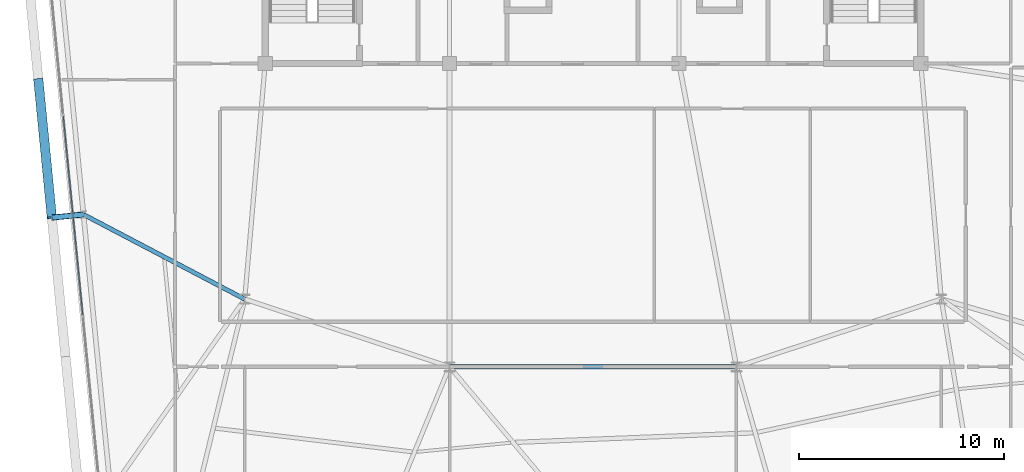
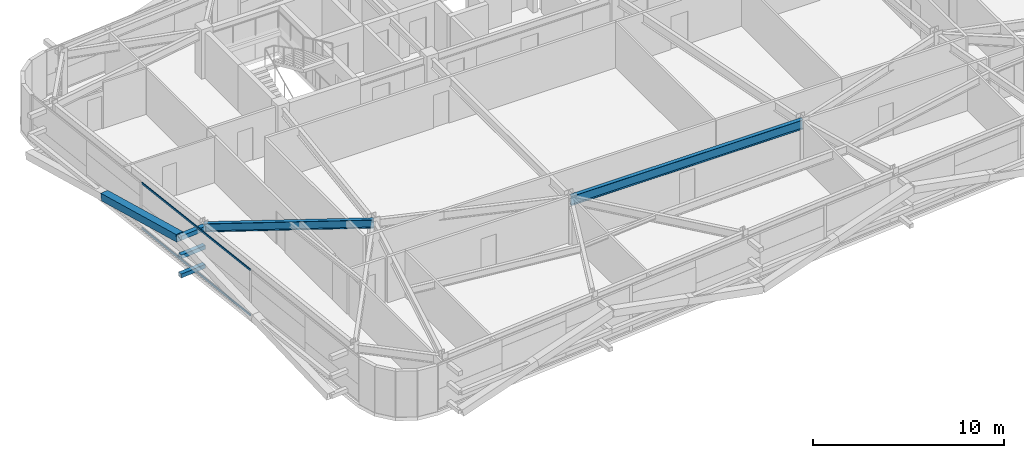
# One storey, part 12 of 47: 6 members, 2 beams, 1 element without a shape of its own.
"""IFC4 building model written with IfcOpenShell, lengths in metres."""

from ifc_helpers import new_model, si_unit, direction, frame, origin, origin_2d, place, context, subcontext, project, spatial, hollow_rectangle, i_section, extrude, source, transform, mapped, material, layer, layer_set, material_profile, profile_set, type_object, element, aggregate, save


model = new_model("IFC4")

# Units and contexts
model_context = context("Model", 3, precision=1e-05, world=origin(), true_north=direction((0.0, 1.0)))
body_context = subcontext(model_context, "Body", "Model", "MODEL_VIEW")
ifc_project = project(units=[si_unit("LENGTHUNIT", "METRE"), si_unit("AREAUNIT", "SQUARE_METRE"), si_unit("VOLUMEUNIT", "CUBIC_METRE"), si_unit("PLANEANGLEUNIT", "RADIAN"), si_unit("MASSUNIT", "GRAM", prefix="KILO")], contexts=[model_context])

# Site, building, storey
site_placement = place(None, origin())
site = spatial("IfcSite", under=ifc_project, at=site_placement, CompositionType="ELEMENT")
building_placement = place(site_placement, origin())
building = spatial("IfcBuilding", under=site, at=building_placement, Name="Taldren Reach Tower", CompositionType="ELEMENT")
storey_placement = place(building_placement, frame((0.0, 0.0, 106.050048828125)))
storey = spatial("IfcBuildingStorey", under=building, at=storey_placement, Name="L32", CompositionType="ELEMENT", Elevation=106.050048828125)

# Beams
ifc_material_1 = material(Name="Steel Gr 350 (350PLUS)", Category="steel")
ifc_material_profile_1 = material_profile(ifc_material_1, i_section(OverallWidth=0.22802734375, OverallDepth=0.60205078125, WebThickness=0.010498046875, FlangeThickness=0.014892578125, at=origin_2d()), Name="610UB101")
ifc_profile_set_1 = profile_set([ifc_material_profile_1], Name="Steel Gr 350 (350PLUS)")
beam_type_1 = type_object("IfcBeamType", Name="BM-UB610B", PredefinedType="BEAM", material=ifc_profile_set_1)
shared_shape_1 = source(origin(), body_context, "Body", "SweptSolid", [
    extrude(i_section(OverallWidth=0.22802734375, OverallDepth=0.60205078125, WebThickness=0.010498046875, FlangeThickness=0.014892578125, at=origin_2d()), origin(), (0.0, 0.0, 1.0), 14.0),
])
beam_1_placement = place(storey_placement, frame((28.0, 9.199951171875, 2.62890625), z_axis=(1.0, 0.0, 0.0), x_axis=(0.0, 1.0, 0.0)))
element("IfcBeam", 1, at=beam_1_placement, inside=storey, type_object=beam_type_1, Name="Core-spine girder L32-SP11", PredefinedType="BEAM", context=body_context, shape_type="MappedRepresentation", body=[
    mapped(shared_shape_1, transform((0.0, 0.0, 0.0), scale=1.0)),
])
ifc_material_profile_2 = material_profile(ifc_material_1, i_section(OverallWidth=0.208984375, OverallDepth=0.532958984375, WebThickness=0.01025390625, FlangeThickness=0.015625, at=origin_2d()), Name="530UB92.4")
ifc_profile_set_2 = profile_set([ifc_material_profile_2], Name="Steel Gr 350 (350PLUS)")
beam_type_2 = type_object("IfcBeamType", Name="BM-UB530A", PredefinedType="BEAM", material=ifc_profile_set_2)
shared_shape_2 = source(origin(), body_context, "Body", "SweptSolid", [
    extrude(i_section(OverallWidth=0.208984375, OverallDepth=0.532958984375, WebThickness=0.01025390625, FlangeThickness=0.015625, at=origin_2d()), origin(), (0.0, 0.0, 1.0), 8.8876953125),
])
beam_2_placement = place(storey_placement, frame((18.0, 12.5, 2.663330078125), z_axis=(-0.885412881876, 0.464805366371, 0.0), x_axis=(-0.464805366371, -0.885412881876, 0.0)))
element("IfcBeam", 2, at=beam_2_placement, inside=storey, type_object=beam_type_2, Name="Primary floor girder B2-W2 L32", PredefinedType="BEAM", context=body_context, shape_type="MappedRepresentation", body=[
    mapped(shared_shape_2, transform((0.0, 0.0, 0.0), scale=1.0)),
])

# Members
ifc_material_2 = material(Name="Steel Gr 450 (C450L0)", Category="steel")
ifc_material_profile_3 = material_profile(ifc_material_2, hollow_rectangle(XDim=0.27490234375, YDim=0.27490234375, WallThickness=0.00927734375, at=origin_2d()), Name="275x275x9.3SHS")
ifc_profile_set_3 = profile_set([ifc_material_profile_3], Name="Steel Gr 450 (C450L0)")
member_type_1 = type_object("IfcMemberType", Name="MB-TIE273", PredefinedType="STRUT", material=ifc_profile_set_3)
shared_shape_3 = source(origin(), body_context, "Body", "SweptSolid", [
    extrude(hollow_rectangle(XDim=0.27490234375, YDim=0.27490234375, WallThickness=0.00927734375, at=origin_2d()), origin(), (0.0, 0.0, 1.0), 1.550048828125),
])
member_1_placement = place(storey_placement, frame((10.130615234375, 16.631103515625, 2.64990234375), z_axis=(-0.9952210252, -0.097647892962, 0.0), x_axis=(0.097647892962, -0.9952210252, 0.0)))
element("IfcMember", 3, at=member_1_placement, inside=storey, type_object=member_type_1, Name="Exoskeleton diaphragm tie strut B2-W2 L32", PredefinedType="STRUT", context=body_context, shape_type="MappedRepresentation", body=[
    mapped(shared_shape_3, transform((0.0, 0.0, 0.0), scale=1.0)),
])
ifc_material_3 = material(Name="Steel Gr 350 (C350L0)", Category="steel")
ifc_material_profile_4 = material_profile(ifc_material_3, hollow_rectangle(XDim=0.25, YDim=0.25, WallThickness=0.010009765625, at=origin_2d()), Name="250x250x10.0SHS")
ifc_profile_set_4 = profile_set([ifc_material_profile_4], Name="Steel Gr 350 (C350L0)")
member_type_2 = type_object("IfcMemberType", Name="MB-POST250", PredefinedType="POST", material=ifc_profile_set_4)
shared_shape_4 = source(origin(), body_context, "Body", "SweptSolid", [
    extrude(hollow_rectangle(XDim=0.25, YDim=0.25, WallThickness=0.010009765625, at=origin_2d()), origin(), (0.0, 0.0, 1.0), 1.550048828125),
])
for number, where, z_axis, x_axis, name in (
    (4, (10.130615234375, 16.631103515625, 0.219970703125), (-0.9952210252, -0.097647892962, 0.0), (0.097647892962, -0.9952210252, 0.0), "Exoskeleton base diaphragm tie strut B2-W2 L32"),
    (5, (10.130615234375, 16.631103515625, 1.43505859375), (-0.9952210252, -0.097647892962, 0.0), (0.097647892962, -0.9952210252, 0.0), "Exoskeleton mid-tier diaphragm tie B2-W2 L32"),
):
    element("IfcMember", number, at=place(storey_placement, frame(where, z_axis=z_axis, x_axis=x_axis)), inside=storey, type_object=member_type_2, Name=name, PredefinedType="POST", context=body_context, shape_type="MappedRepresentation", body=[
        mapped(shared_shape_4, transform((0.0, 0.0, 0.0), scale=1.0)),
    ])
ifc_material_profile_5 = material_profile(ifc_material_2, hollow_rectangle(XDim=0.4599609375, YDim=0.4599609375, WallThickness=0.01611328125, at=origin_2d()), Name="460x460x16.0SHS")
ifc_profile_set_5 = profile_set([ifc_material_profile_5], Name="Steel Gr 450 (C450L0)")
member_type_3 = type_object("IfcMemberType", Name="MB-EXO457", PredefinedType="BRACE", material=ifc_profile_set_5)
shared_shape_5 = source(origin(), body_context, "Body", "SweptSolid", [
    extrude(hollow_rectangle(XDim=0.4599609375, YDim=0.4599609375, WallThickness=0.01611328125, at=origin_2d()), origin(), (0.0, 0.0, 1.0), 6.883056640625),
])
member_2_placement = place(storey_placement, frame((7.9267578125, 23.222412109375, 1.43505859375), z_axis=(0.096052059581, -0.979603316657, 0.176497432967), x_axis=(0.995227290009, 0.097584021339, 0.0)))
element("IfcMember", 6, at=member_2_placement, inside=storey, type_object=member_type_3, Name="Exoskeleton Diagrid Brace B2-W2 L32", PredefinedType="BRACE", context=body_context, shape_type="MappedRepresentation", body=[
    mapped(shared_shape_5, transform((0.0, 0.0, 0.0), scale=1.0)),
])

# Curtain wall, members
ifc_material_4 = material(Name="Aluminium and Low-E Glass Unitised System", Category="aluminium")
ifc_layer = layer(ifc_material_4, 0.159912109375)
ifc_layer_set = layer_set([ifc_layer], Name="Aluminium and Low-E Glass Unitised System")
curtain_wall_type = type_object("IfcCurtainWallType", Name="CW-SYS-3", PredefinedType="NOTDEFINED", material=ifc_layer_set)
curtain_wall_placement = place(storey_placement, origin())
curtain_wall = element("IfcCurtainWall", 7, at=curtain_wall_placement, inside=storey, type_object=curtain_wall_type, Name="Unitised curtain wall CW-L32-W", PredefinedType="NOTDEFINED")
ifc_material_5 = material(Name="Anodised Aluminium 6063-T6", Category="aluminium")
ifc_material_profile_6 = material_profile(ifc_material_5, hollow_rectangle(XDim=0.054931640625, YDim=0.1201171875, WallThickness=0.0029296875, at=origin_2d()), Name="ALU-120x55x3RHS")
ifc_profile_set_6 = profile_set([ifc_material_profile_6], Name="Anodised Aluminium 6063-T6")
member_type_4 = type_object("IfcMemberType", Name="CW-TRN-135", PredefinedType="USERDEFINED", material=ifc_profile_set_6)
shared_shape_6 = source(origin(), body_context, "Body", "SweptSolid", [
    extrude(hollow_rectangle(XDim=0.054931640625, YDim=0.1201171875, WallThickness=0.0029296875, at=origin_2d()), origin(), (0.0, 0.0, 1.0), 9.768310546875),
])
member_3_placement = place(storey_placement, frame((9.146240234375, 21.442138671875, 0.02734375), z_axis=(0.097598120756, -0.995225907432, 0.0), x_axis=(0.995225907432, 0.097598120756, 0.0)))
member_3 = element("IfcMember", 8, at=member_3_placement, type_object=member_type_4, Name="CW-3 transom 2.1", ObjectType="TRANSOM", PredefinedType="USERDEFINED", context=body_context, shape_type="MappedRepresentation", body=[
    mapped(shared_shape_6, transform((0.0, 0.0, 0.0), scale=1.0)),
])
member_4_placement = place(storey_placement, frame((9.146240234375, 21.442138671875, 2.90234375), z_axis=(0.097598120756, -0.995225907432, 0.0), x_axis=(0.995225907432, 0.097598120756, 0.0)))
member_4 = element("IfcMember", 9, at=member_4_placement, type_object=member_type_4, Name="CW-3 transom 2.2", ObjectType="TRANSOM", PredefinedType="USERDEFINED", context=body_context, shape_type="MappedRepresentation", body=[
    mapped(shared_shape_6, transform((0.0, 0.0, 0.0), scale=1.0)),
])
aggregate(curtain_wall, [member_3, member_4])

save(model, "model.ifc")
